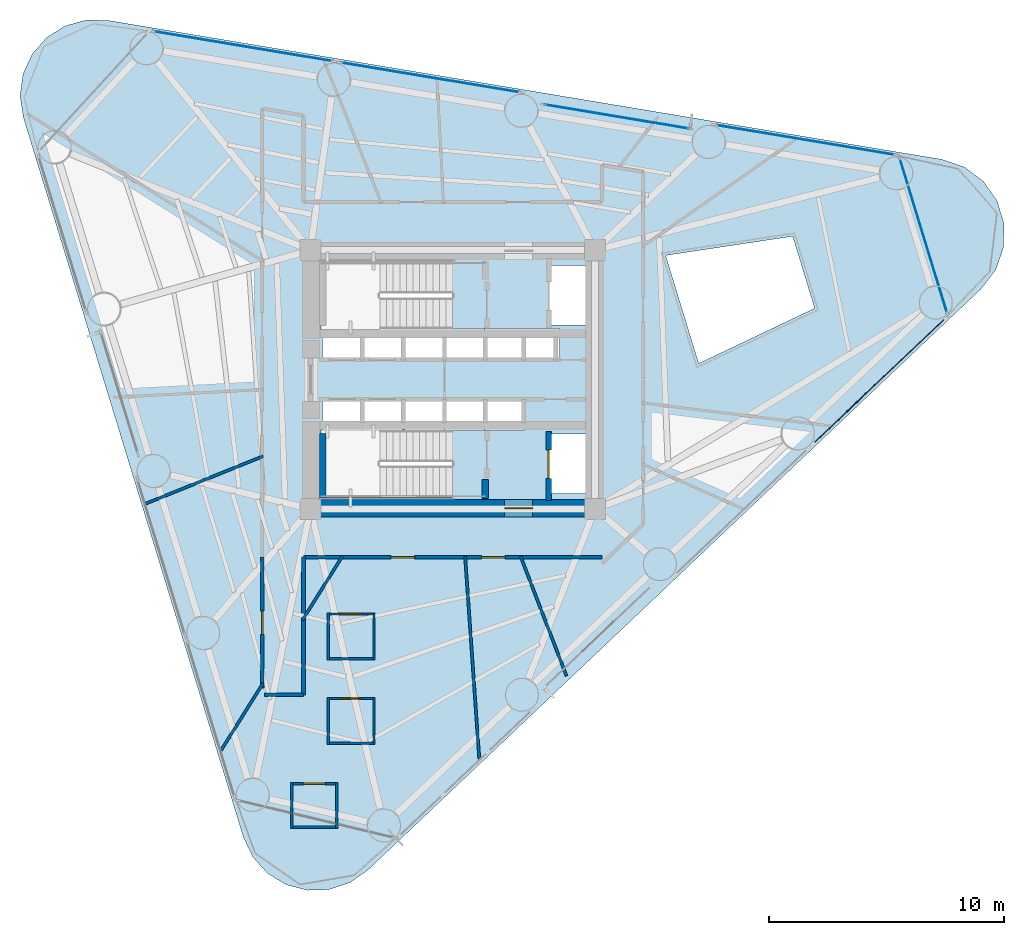
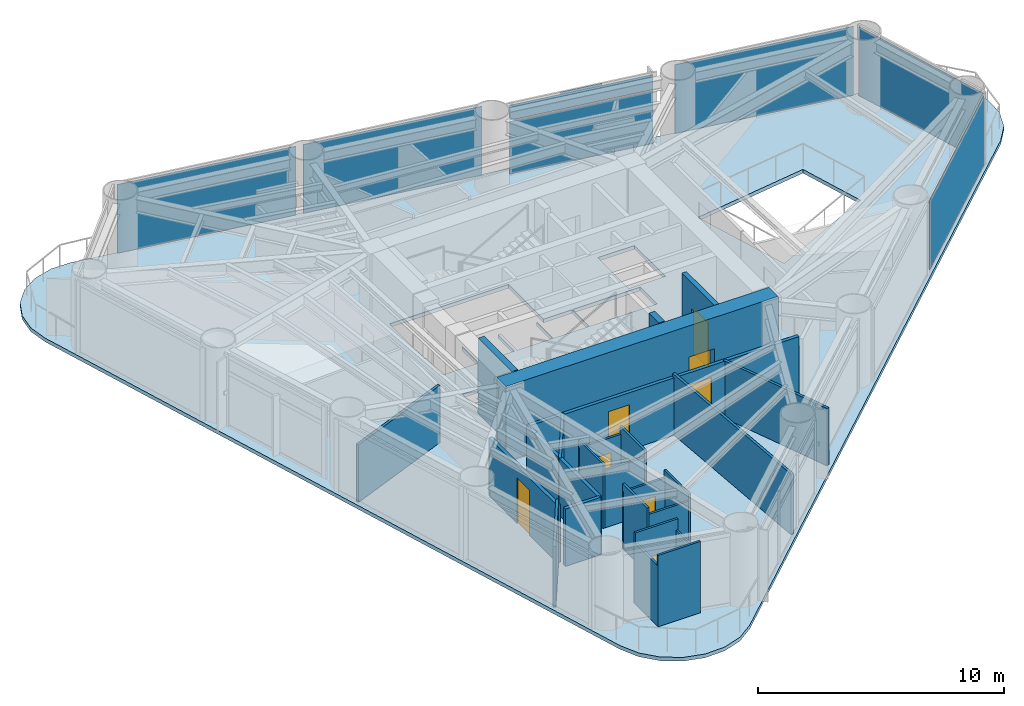
# One storey, part 5 of 10: 25 walls, 8 doors, 8 plates, 1 slab, 8 openings, 6 elements without a shape of their own.
"""IFC4 building model written with IfcOpenShell, lengths in metres."""

from ifc_helpers import new_model, si_unit, direction, frame, frame_2d, origin, origin_2d, place, context, subcontext, project, spatial, polyline, rectangle, outline, extrude, source, transform, mapped, material, layer, layer_set, type_object, element, fill, aggregate, save


model = new_model("IFC4")

# Units and contexts
model_context = context("Model", 3, precision=1e-05, world=origin(), true_north=direction((0.0, 1.0)))
body_context = subcontext(model_context, "Body", "Model", "MODEL_VIEW")
ifc_project = project(units=[si_unit("LENGTHUNIT", "METRE"), si_unit("AREAUNIT", "SQUARE_METRE"), si_unit("VOLUMEUNIT", "CUBIC_METRE"), si_unit("PLANEANGLEUNIT", "RADIAN"), si_unit("MASSUNIT", "GRAM", prefix="KILO")], contexts=[model_context])

# Site, building, storey
site_placement = place(None, origin())
site = spatial("IfcSite", under=ifc_project, at=site_placement, CompositionType="ELEMENT")
building_placement = place(site_placement, origin())
building = spatial("IfcBuilding", under=site, at=building_placement, Name="Yunling Apex Tower", CompositionType="ELEMENT")
storey_placement = place(building_placement, frame((0.0, 0.0, 101.14990234375)))
storey = spatial("IfcBuildingStorey", under=building, at=storey_placement, Name="L25", CompositionType="ELEMENT", Elevation=101.14990234375)

# Slab
ifc_material_1 = material(Name="Concrete C40", Category="concrete")
ifc_layer_1 = layer(ifc_material_1, 0.179931640625)
ifc_layer_set_1 = layer_set([ifc_layer_1], Name="Concrete C40")
slab_type = type_object("IfcSlabType", Name="SL-FLR-1", PredefinedType="FLOOR", material=ifc_layer_set_1)
slab_placement = place(storey_placement, frame((0.0, 0.0, -0.184814453125)))
element("IfcSlab", 1, at=slab_placement, inside=storey, type_object=slab_type, Name="L25 Composite Tower Floor Slab", PredefinedType="FLOOR", context=body_context, shape_type="SweptSolid", body=[
    extrude(outline(polyline([(-8.89990234375, -19.45263671875), (-8.50146484375, -20.294921875), (-7.87841796875, -20.98779296875), (-7.083251953125, -21.473388671875), (-6.182373046875, -21.710693359375), (-5.251220703125, -21.680419921875), (-4.367431640625, -21.384765625), (-3.605712890625, -20.848388671875), (22.4599609375, 3.852294921875), (23.077880859375, 4.65869140625), (23.413818359375, 5.61767578125), (23.434326171875, 6.63330078125), (23.13720703125, 7.60498046875), (22.55224609375, 8.435791015625), (21.737548828125, 9.042724609375), (20.774169921875, 9.36572265625), (-14.6474609375, 15.267822265625), (-15.5791015625, 15.28662109375), (-16.476806640625, 15.03759765625), (-17.265869140625, 14.5419921875), (-17.8798828125, 13.84130859375), (-18.267578125, 12.993896484375), (-18.396728515625, 12.0712890625), (-18.256103515625, 11.150390625), (-8.89990234375, -19.45263671875)]), holes=[polyline([(14.45068359375, 6.091064453125), (15.385986328125, 3.031005859375), (10.4560546875, 0.68701171875), (9.052490234375, 5.27734375), (14.45068359375, 6.091064453125)]), polyline([(5.81005859375, -2.320068359375), (5.81005859375, -4.840087890625), (4.090087890625, -4.840087890625), (4.090087890625, -2.320068359375), (5.81005859375, -2.320068359375)]), polyline([(5.81005859375, 4.840087890625), (5.81005859375, 2.320068359375), (4.090087890625, 2.320068359375), (4.090087890625, 4.840087890625), (5.81005859375, 4.840087890625)]), polyline([(4.534912109375, 0.794921875), (1.364990234375, 0.794921875), (1.364990234375, 2.1650390625), (4.534912109375, 2.1650390625), (4.534912109375, 0.794921875)]), polyline([(3.034912109375, -0.794921875), (3.034912109375, -2.1650390625), (1.364990234375, -2.1650390625), (1.364990234375, -0.794921875), (3.034912109375, -0.794921875)]), polyline([(-3.864990234375, -0.794921875), (-3.864990234375, -2.139892578125), (-3.8349609375, -2.139892578125), (-3.8349609375, -0.794921875), (-2.1650390625, -0.794921875), (-2.1650390625, -2.139892578125), (-2.034912109375, -2.139892578125), (-2.034912109375, -0.794921875), (-0.364990234375, -0.794921875), (-0.364990234375, -2.139892578125), (-0.3349609375, -2.139892578125), (-0.3349609375, -0.794921875), (1.3349609375, -0.794921875), (1.3349609375, -2.1650390625), (-0.010009765625, -2.1650390625), (-0.010009765625, -5.010009765625), (-5.60009765625, -5.010009765625), (-5.60009765625, -2.139892578125), (-5.534912109375, -2.139892578125), (-5.534912109375, -0.794921875), (-3.864990234375, -0.794921875)]), polyline([(-5.60009765625, 2.139892578125), (-5.60009765625, 5.010009765625), (-0.010009765625, 5.010009765625), (-0.010009765625, 2.1650390625), (1.3349609375, 2.1650390625), (1.3349609375, 0.794921875), (-0.3349609375, 0.794921875), (-0.3349609375, 2.139892578125), (-0.364990234375, 2.139892578125), (-0.364990234375, 0.794921875), (-2.034912109375, 0.794921875), (-2.034912109375, 2.139892578125), (-2.1650390625, 2.139892578125), (-2.1650390625, 0.794921875), (-3.8349609375, 0.794921875), (-3.8349609375, 2.139892578125), (-3.864990234375, 2.139892578125), (-3.864990234375, 0.794921875), (-5.534912109375, 0.794921875), (-5.534912109375, 2.139892578125), (-5.60009765625, 2.139892578125)])]), origin(), (0.0, 0.0, 1.0), 0.184814453125),
])

# Plate
ifc_material_2 = material(Name="Bronze anodised aluminium", Category="aluminium")
ifc_layer_2 = layer(ifc_material_2, 0.011962890625)
ifc_layer_set_2 = layer_set([ifc_layer_2], Name="Bronze anodised aluminium")
plate_type_1 = type_object("IfcPlateType", Name="SP-SHT-1", PredefinedType="SHEET", material=ifc_layer_set_2)
shared_shape_1 = source(origin(), body_context, "Body", "SweptSolid", [
    extrude(rectangle(XDim=1.800048828125, YDim=0.02392578125, at=origin_2d()), origin(), (0.0, 0.0, 1.0), 0.43994140625),
])
plate_1_placement = place(storey_placement, frame((6.96923828125, 11.17919921875, 3.1650390625), z_axis=(0.0, 0.0, 1.0), x_axis=(-0.986400586142, 0.164359008451, 0.0)))
element("IfcPlate", 2, at=plate_1_placement, inside=storey, type_object=plate_type_1, Name="SP-GRV-L25-F2", PredefinedType="SHEET", context=body_context, shape_type="MappedRepresentation", body=[
    mapped(shared_shape_1, transform((0.0, 0.0, 0.0), scale=1.0)),
])

# Curtain wall, plates
ifc_layer_3 = layer(ifc_material_2, 0.260009765625)
ifc_layer_set_3 = layer_set([ifc_layer_3], Name="Bronze anodised aluminium")
curtain_wall_type = type_object("IfcCurtainWallType", Name="CW-SYS-2", PredefinedType="NOTDEFINED", material=ifc_layer_set_3)
curtain_wall_1_placement = place(storey_placement, origin())
curtain_wall_1 = element("IfcCurtainWall", 3, at=curtain_wall_1_placement, inside=storey, type_object=curtain_wall_type, Name="CW-L25-F2-B2", PredefinedType="NOTDEFINED")
ifc_material_3 = material(Name="Bronze tinted low-E glass", Category="glass")
ifc_layer_4 = layer(ifc_material_3, 0.033935546875)
ifc_layer_set_4 = layer_set([ifc_layer_4], Name="Bronze tinted low-E glass")
plate_type_2 = type_object("IfcPlateType", Name="CW-PNL-2", PredefinedType="CURTAIN_PANEL", material=ifc_layer_set_4)
shared_shape_2 = source(origin(), body_context, "Body", "SweptSolid", [
    extrude(rectangle(XDim=6.236328125, YDim=0.033935546875, at=origin_2d()), origin(), (0.0, 0.0, 1.0), 2.60400390625),
])
plate_2_placement = place(storey_placement, frame((6.96923828125, 11.17919921875, 0.076904296875), z_axis=(0.0, 0.0, 1.0), x_axis=(-0.986401113409, 0.164355844023, 0.0)))
plate_2 = element("IfcPlate", 4, at=plate_2_placement, type_object=plate_type_2, Name="CW-SYS-2 panel 1.1", PredefinedType="CURTAIN_PANEL", context=body_context, shape_type="MappedRepresentation", body=[
    mapped(shared_shape_2, transform((0.0, 0.0, 0.0), scale=1.0)),
])
shared_shape_3 = source(origin(), body_context, "Body", "SweptSolid", [
    extrude(rectangle(XDim=6.236328125, YDim=0.033935546875, at=origin_2d()), origin(), (0.0, 0.0, 1.0), 0.739013671875),
])
plate_3_placement = place(storey_placement, frame((6.96923828125, 11.17919921875, 2.74951171875), z_axis=(0.0, 0.0, 1.0), x_axis=(-0.986401113409, 0.164355844023, 0.0)))
plate_3 = element("IfcPlate", 5, at=plate_3_placement, type_object=plate_type_2, Name="CW-SYS-2 panel 1.2", PredefinedType="CURTAIN_PANEL", context=body_context, shape_type="MappedRepresentation", body=[
    mapped(shared_shape_3, transform((0.0, 0.0, 0.0), scale=1.0)),
])
aggregate(curtain_wall_1, [plate_2, plate_3])

# Curtain wall, plate
curtain_wall_2_placement = place(storey_placement, origin())
curtain_wall_2 = element("IfcCurtainWall", 6, at=curtain_wall_2_placement, inside=storey, type_object=curtain_wall_type, Name="CW-L25-F1-B4", PredefinedType="NOTDEFINED")
shared_shape_4 = source(origin(), body_context, "Body", "SweptSolid", [
    extrude(rectangle(XDim=7.766357421875, YDim=0.033935546875, at=origin_2d()), origin(), (0.0, 0.0, 1.0), 3.41162109375),
])
plate_4_placement = place(storey_placement, frame((18.1279296875, -0.06005859375, 0.076904296875), z_axis=(0.0, 0.0, 1.0), x_axis=(0.72584218686, 0.687861264918, 0.0)))
plate_4 = element("IfcPlate", 7, at=plate_4_placement, type_object=plate_type_2, Name="CW-SYS-2 panel 1.1", PredefinedType="CURTAIN_PANEL", context=body_context, shape_type="MappedRepresentation", body=[
    mapped(shared_shape_4, transform((0.0, 0.0, 0.0), scale=1.0)),
])
aggregate(curtain_wall_2, [plate_4])

curtain_wall_3_placement = place(storey_placement, origin())
curtain_wall_3 = element("IfcCurtainWall", 8, at=curtain_wall_3_placement, inside=storey, type_object=curtain_wall_type, Name="CW-L25-F2-B1", PredefinedType="NOTDEFINED")
plate_5_placement = place(storey_placement, frame((14.9951171875, 10.186767578125, 0.076904296875), z_axis=(0.0, 0.0, 1.0), x_axis=(-0.98640040698, 0.16436008369, 0.0)))
plate_5 = element("IfcPlate", 9, at=plate_5_placement, type_object=plate_type_2, Name="CW-SYS-2 panel 1.1", PredefinedType="CURTAIN_PANEL", context=body_context, shape_type="MappedRepresentation", body=[
    mapped(shared_shape_4, transform((0.0, 0.0, 0.0), scale=1.0)),
])
aggregate(curtain_wall_3, [plate_5])

curtain_wall_4_placement = place(storey_placement, origin())
curtain_wall_4 = element("IfcCurtainWall", 10, at=curtain_wall_4_placement, inside=storey, type_object=curtain_wall_type, Name="CW-L25-F2-B4", PredefinedType="NOTDEFINED")
plate_6_placement = place(storey_placement, frame((-8.91455078125, 14.170654296875, 0.076904296875), z_axis=(0.0, 0.0, 1.0), x_axis=(-0.98640040698, 0.16436008369, 0.0)))
plate_6 = element("IfcPlate", 11, at=plate_6_placement, type_object=plate_type_2, Name="CW-SYS-2 panel 1.1", PredefinedType="CURTAIN_PANEL", context=body_context, shape_type="MappedRepresentation", body=[
    mapped(shared_shape_4, transform((0.0, 0.0, 0.0), scale=1.0)),
])
aggregate(curtain_wall_4, [plate_6])

curtain_wall_5_placement = place(storey_placement, origin())
curtain_wall_5 = element("IfcCurtainWall", 12, at=curtain_wall_5_placement, inside=storey, type_object=curtain_wall_type, Name="CW-L25-CRN1", PredefinedType="NOTDEFINED")
shared_shape_5 = source(origin(), body_context, "Body", "SweptSolid", [
    extrude(rectangle(XDim=6.925537109375, YDim=0.033935546875, at=origin_2d()), origin(), (0.0, 0.0, 1.0), 3.41162109375),
])
plate_7_placement = place(storey_placement, frame((20.01171875, 6.1181640625, 0.076904296875), z_axis=(0.0, 0.0, 1.0), x_axis=(-0.292375009223, 0.95630374567, 0.0)))
plate_7 = element("IfcPlate", 13, at=plate_7_placement, type_object=plate_type_2, Name="CW-SYS-2 panel 1.1", PredefinedType="CURTAIN_PANEL", context=body_context, shape_type="MappedRepresentation", body=[
    mapped(shared_shape_5, transform((0.0, 0.0, 0.0), scale=1.0)),
])
aggregate(curtain_wall_5, [plate_7])

curtain_wall_6_placement = place(storey_placement, origin())
curtain_wall_6 = element("IfcCurtainWall", 14, at=curtain_wall_6_placement, inside=storey, type_object=curtain_wall_type, Name="CW-L25-F2-B3", PredefinedType="NOTDEFINED")
shared_shape_6 = source(origin(), body_context, "Body", "SweptSolid", [
    extrude(rectangle(XDim=7.76611328125, YDim=0.033935546875, at=origin_2d()), origin(), (0.0, 0.0, 1.0), 3.41162109375),
])
plate_8_placement = place(storey_placement, frame((-0.944580078125, 12.8427734375, 0.076904296875), z_axis=(0.0, 0.0, 1.0), x_axis=(-0.986400065878, 0.164362130784, 0.0)))
plate_8 = element("IfcPlate", 15, at=plate_8_placement, type_object=plate_type_2, Name="CW-SYS-2 panel 1.1", PredefinedType="CURTAIN_PANEL", context=body_context, shape_type="MappedRepresentation", body=[
    mapped(shared_shape_6, transform((0.0, 0.0, 0.0), scale=1.0)),
])
aggregate(curtain_wall_6, [plate_8])

# Wall, opening, door
ifc_material_4 = material(Name="Concrete C60", Category="concrete")
ifc_layer_5 = layer(ifc_material_4, 0.75)
ifc_layer_set_5 = layer_set([ifc_layer_5], Name="Concrete C60")
wall_type_1 = type_object("IfcWallType", Name="WL-COR-1", PredefinedType="SHEAR", material=ifc_layer_set_5)
wall_1_placement = place(storey_placement, frame((-6.39990234375, -5.47509765625, 0.0), z_axis=(0.0, 0.0, 1.0), x_axis=(1.0, 0.0, 0.0)))
wall_1 = element("IfcWall", 16, at=wall_1_placement, inside=storey, type_object=wall_type_1, Name="L25 South Core Shear Wall", PredefinedType="SHEAR", context=body_context, shape_type="SweptSolid", body=[
    extrude(rectangle(XDim=12.7998046875, YDim=0.75, at=frame_2d((6.39990234375, 0.0))), origin(), (0.0, 0.0, 1.0), 3.75),
])
opening_1_placement = place(wall_1_placement, frame((8.60009765625, 0.0, 0.0)))
opening_1 = element("IfcOpeningElement", 17, at=opening_1_placement, cuts=wall_1, Name="Opening DR-FFL-1", PredefinedType="OPENING", context=body_context, shape_type="SweptSolid", body=[
    extrude(rectangle(XDim=1.199951171875, YDim=2.199951171875, at=frame_2d((0.60009765625, 1.10009765625))), frame((0.0, 0.385009765625, 0.0), z_axis=(0.0, -1.0, 0.0), x_axis=(1.0, 0.0, 0.0)), (0.0, 0.0, 1.0), 0.77001953125),
])
ifc_material_5 = material(Name="Steel Q355B", Category="steel")
door_type_1 = type_object("IfcDoorType", Name="DR-FFL-1", OperationType="NOTDEFINED", PredefinedType="DOOR", material=ifc_material_5)
door_1_placement = place(opening_1_placement, origin())
door_1 = element("IfcDoor", 18, at=door_1_placement, inside=storey, type_object=door_type_1, Name="L25 South Firefighting Lobby Door", OperationType="SINGLE_SWING_RIGHT", OverallHeight=2.199951171875, OverallWidth=1.199951171875, PredefinedType="DOOR", context=body_context, shape_type="SweptSolid", body=[
    extrude(rectangle(XDim=1.199951171875, YDim=2.199951171875, at=frame_2d((0.60009765625, 1.10009765625))), frame((0.0, 0.02490234375, 0.0), z_axis=(0.0, -1.0, 0.0), x_axis=(1.0, 0.0, 0.0)), (0.0, 0.0, 1.0), 0.050048828125),
])
fill(opening_1, door_1)

# Walls
ifc_layer_6 = layer(ifc_material_1, 0.280029296875)
ifc_layer_set_6 = layer_set([ifc_layer_6], Name="Concrete C40")
wall_type_2 = type_object("IfcWallType", Name="WL-COR-8", PredefinedType="SHEAR", material=ifc_layer_set_6)
wall_2_placement = place(storey_placement, frame((-5.52001953125, -5.050048828125, 0.0), z_axis=(0.0, 0.0, 1.0), x_axis=(0.0, 1.0, 0.0)))
element("IfcWall", 19, at=wall_2_placement, inside=storey, type_object=wall_type_2, Name="L25 ST-2 West Landing Bearing Wall", PredefinedType="SHEAR", context=body_context, shape_type="SweptSolid", body=[
    extrude(rectangle(XDim=2.75, YDim=0.280029296875, at=frame_2d((1.375, 0.0))), origin(), (0.0, 0.0, 1.0), 3.75),
])
wall_3_placement = place(storey_placement, frame((1.3798828125, -5.050048828125, 0.0), z_axis=(0.0, 0.0, 1.0), x_axis=(0.0, 1.0, 0.0)))
element("IfcWall", 20, at=wall_3_placement, inside=storey, type_object=wall_type_2, Name="L25 ST-2 East Landing Bearing Pier", PredefinedType="SHEAR", context=body_context, shape_type="SweptSolid", body=[
    extrude(rectangle(XDim=0.800048828125, YDim=0.280029296875, at=frame_2d((0.39990234375, 0.0))), origin(), (0.0, 0.0, 1.0), 3.75),
])

# Wall, opening, door
ifc_material_6 = material(Name="Gypsum board acoustic partition")
ifc_layer_7 = layer(ifc_material_6, 0.159912109375)
ifc_layer_set_7 = layer_set([ifc_layer_7], Name="Gypsum board acoustic partition")
wall_type_3 = type_object("IfcWallType", Name="WL-PRT-1", PredefinedType="PARTITIONING", material=ifc_layer_set_7)
wall_4_placement = place(storey_placement, frame((-8.10009765625, -13.107421875, 0.0), z_axis=(0.0, 0.0, 1.0), x_axis=(0.0, 1.0, 0.0)))
wall_4 = element("IfcWall", 21, at=wall_4_placement, inside=storey, type_object=wall_type_3, Name="WL-CORR-L25-02", PredefinedType="PARTITIONING", context=body_context, shape_type="SweptSolid", body=[
    extrude(rectangle(XDim=5.557373046875, YDim=0.159912109375, at=frame_2d((2.77880859375, 0.0))), origin(), (0.0, 0.0, 1.0), 2.85009765625),
])
opening_2_placement = place(wall_4_placement, frame((2.27880859375, 0.0, 0.0)))
opening_2 = element("IfcOpeningElement", 22, at=opening_2_placement, cuts=wall_4, Name="Opening DR-OFF-1", PredefinedType="OPENING", context=body_context, shape_type="SweptSolid", body=[
    extrude(rectangle(XDim=1.0, YDim=2.25, at=frame_2d((0.5, 1.125))), frame((0.0, 0.08984375, 0.0), z_axis=(0.0, -1.0, 0.0), x_axis=(1.0, 0.0, 0.0)), (0.0, 0.0, 1.0), 0.179931640625),
])
door_type_2 = type_object("IfcDoorType", Name="DR-OFF-1", OperationType="NOTDEFINED", PredefinedType="DOOR", material=ifc_material_2)
door_2_placement = place(opening_2_placement, origin())
door_2 = element("IfcDoor", 23, at=door_2_placement, inside=storey, type_object=door_type_2, Name="L25 Business Reading Lounge Door", OperationType="SINGLE_SWING_LEFT", OverallHeight=2.25, OverallWidth=1.0, PredefinedType="DOOR", context=body_context, shape_type="SweptSolid", body=[
    extrude(rectangle(XDim=1.0, YDim=2.25, at=frame_2d((0.5, 1.125))), frame((0.0, 0.02490234375, 0.0), z_axis=(0.0, -1.0, 0.0), x_axis=(1.0, 0.0, 0.0)), (0.0, 0.0, 1.0), 0.050048828125),
])
fill(opening_2, door_2)

# Wall, openings, doors
wall_5_placement = place(storey_placement, frame((6.35009765625, -7.550048828125, 0.0), z_axis=(0.0, 0.0, 1.0), x_axis=(-1.0, 0.0, 0.0)))
wall_5 = element("IfcWall", 24, at=wall_5_placement, inside=storey, type_object=wall_type_3, Name="WL-CORR-L25-15", PredefinedType="PARTITIONING", context=body_context, shape_type="SweptSolid", body=[
    extrude(rectangle(XDim=12.7001953125, YDim=0.159912109375, at=frame_2d((6.35009765625, 0.0))), origin(), (0.0, 0.0, 1.0), 2.85009765625),
])
opening_3_placement = place(wall_5_placement, frame((4.12109375, 0.0, 0.0)))
opening_3 = element("IfcOpeningElement", 25, at=opening_3_placement, cuts=wall_5, Name="Opening DR-OFF-1", PredefinedType="OPENING", context=body_context, shape_type="SweptSolid", body=[
    extrude(rectangle(XDim=1.0, YDim=2.25, at=frame_2d((0.5, 1.125))), frame((0.0, 0.08984375, 0.0), z_axis=(0.0, -1.0, 0.0), x_axis=(1.0, 0.0, 0.0)), (0.0, 0.0, 1.0), 0.179931640625),
])
opening_4_placement = place(wall_5_placement, frame((7.966064453125, 0.0, 0.0)))
opening_4 = element("IfcOpeningElement", 26, at=opening_4_placement, cuts=wall_5, Name="Opening DR-OFF-1", PredefinedType="OPENING", context=body_context, shape_type="SweptSolid", body=[
    extrude(rectangle(XDim=1.0, YDim=2.25, at=frame_2d((0.5, 1.125))), frame((0.0, 0.08984375, 0.0), z_axis=(0.0, -1.0, 0.0), x_axis=(1.0, 0.0, 0.0)), (0.0, 0.0, 1.0), 0.179931640625),
])
door_3_placement = place(opening_3_placement, origin())
door_3 = element("IfcDoor", 27, at=door_3_placement, inside=storey, type_object=door_type_2, Name="L25 Business Reading Lounge Door", OperationType="SINGLE_SWING_RIGHT", OverallHeight=2.25, OverallWidth=1.0, PredefinedType="DOOR", context=body_context, shape_type="SweptSolid", body=[
    extrude(rectangle(XDim=1.0, YDim=2.25, at=frame_2d((0.5, 1.125))), frame((0.0, 0.02490234375, 0.0), z_axis=(0.0, -1.0, 0.0), x_axis=(1.0, 0.0, 0.0)), (0.0, 0.0, 1.0), 0.050048828125),
])
fill(opening_3, door_3)
door_4_placement = place(opening_4_placement, origin())
door_4 = element("IfcDoor", 28, at=door_4_placement, inside=storey, type_object=door_type_2, Name="L25 Service Foyer Lounge Door", OperationType="SINGLE_SWING_LEFT", OverallHeight=2.25, OverallWidth=1.0, PredefinedType="DOOR", context=body_context, shape_type="SweptSolid", body=[
    extrude(rectangle(XDim=1.0, YDim=2.25, at=frame_2d((0.5, 1.125))), frame((0.0, 0.02490234375, 0.0), z_axis=(0.0, -1.0, 0.0), x_axis=(1.0, 0.0, 0.0)), (0.0, 0.0, 1.0), 0.050048828125),
])
fill(opening_4, door_4)

# Walls
wall_6_placement = place(storey_placement, frame((-6.35009765625, -7.550048828125, 0.0), z_axis=(0.0, 0.0, 1.0), x_axis=(0.0, -1.0, 0.0)))
element("IfcWall", 29, at=wall_6_placement, inside=storey, type_object=wall_type_3, Name="WL-CORR-L25-16", PredefinedType="PARTITIONING", context=body_context, shape_type="SweptSolid", body=[
    extrude(rectangle(XDim=5.849853515625, YDim=0.159912109375, at=frame_2d((2.9248046875, 0.0))), origin(), (0.0, 0.0, 1.0), 2.85009765625),
])
wall_7_placement = place(storey_placement, frame((-6.35009765625, -13.39990234375, 0.0), z_axis=(0.0, 0.0, 1.0), x_axis=(-1.0, 0.0, 0.0)))
element("IfcWall", 30, at=wall_7_placement, inside=storey, type_object=wall_type_3, Name="WL-CORR-L25-17", PredefinedType="PARTITIONING", context=body_context, shape_type="SweptSolid", body=[
    extrude(rectangle(XDim=1.660400390625, YDim=0.159912109375, at=frame_2d((0.830078125, 0.0))), origin(), (0.0, 0.0, 1.0), 2.85009765625),
])
ifc_layer_8 = layer(ifc_material_6, 0.1201171875)
ifc_layer_set_8 = layer_set([ifc_layer_8], Name="Gypsum board acoustic partition")
wall_type_4 = type_object("IfcWallType", Name="WL-PRT-3", PredefinedType="PARTITIONING", material=ifc_layer_set_8)
wall_8_placement = place(storey_placement, frame((-8.06005859375, -3.256591796875, 0.0), z_axis=(0.0, 0.0, 1.0), x_axis=(-0.927184543748, -0.374604887627, 0.0)))
element("IfcWall", 31, at=wall_8_placement, inside=storey, type_object=wall_type_4, Name="WL-RAD-L25-02", PredefinedType="PARTITIONING", context=body_context, shape_type="SweptSolid", body=[
    extrude(rectangle(XDim=5.378662109375, YDim=0.1201171875, at=frame_2d((2.689453125, 0.0))), origin(), (0.0, 0.0, 1.0), 2.85009765625),
])
wall_9_placement = place(storey_placement, frame((-4.69287109375, -7.510009765625, 0.0), z_axis=(0.0, 0.0, 1.0), x_axis=(-0.529882447014, -0.848071100997, 0.0)))
element("IfcWall", 32, at=wall_9_placement, inside=storey, type_object=wall_type_4, Name="WL-RAD-L25-03", PredefinedType="PARTITIONING", context=body_context, shape_type="SweptSolid", body=[
    extrude(rectangle(XDim=3.20263671875, YDim=0.1201171875, at=frame_2d((1.601318359375, 0.0))), origin(), (0.0, 0.0, 1.0), 2.85009765625),
])
wall_10_placement = place(storey_placement, frame((-8.06005859375, -12.898681640625, 0.0), z_axis=(0.0, 0.0, 1.0), x_axis=(-0.529927190475, -0.84804314324, 0.0)))
element("IfcWall", 33, at=wall_10_placement, inside=storey, type_object=wall_type_4, Name="WL-RAD-L25-04", PredefinedType="PARTITIONING", context=body_context, shape_type="SweptSolid", body=[
    extrude(rectangle(XDim=3.364501953125, YDim=0.1201171875, at=frame_2d((1.68212890625, 0.0))), origin(), (0.0, 0.0, 1.0), 3.010009765625),
])
wall_11_placement = place(storey_placement, frame((0.525146484375, -7.510009765625, 0.0), z_axis=(0.0, 0.0, 1.0), x_axis=(0.069760692691, -0.997563755233, 0.0)))
element("IfcWall", 34, at=wall_11_placement, inside=storey, type_object=wall_type_4, Name="WL-RAD-L25-05", PredefinedType="PARTITIONING", context=body_context, shape_type="SweptSolid", body=[
    extrude(rectangle(XDim=8.626708984375, YDim=0.1201171875, at=frame_2d((4.3134765625, 0.0))), origin(), (0.0, 0.0, 1.0), 3.010009765625),
])
wall_12_placement = place(storey_placement, frame((2.8828125, -7.510009765625, 0.0), z_axis=(0.0, 0.0, 1.0), x_axis=(0.35836087515, -0.933583142072, 0.0)))
element("IfcWall", 35, at=wall_12_placement, inside=storey, type_object=wall_type_4, Name="WL-RAD-L25-06", PredefinedType="PARTITIONING", context=body_context, shape_type="SweptSolid", body=[
    extrude(rectangle(XDim=5.4521484375, YDim=0.1201171875, at=frame_2d((2.72607421875, 0.0))), origin(), (0.0, 0.0, 1.0), 2.85009765625),
])

# Wall, opening, door
ifc_layer_9 = layer(ifc_material_6, 0.10009765625)
ifc_layer_set_9 = layer_set([ifc_layer_9], Name="Gypsum board acoustic partition")
wall_type_5 = type_object("IfcWallType", Name="WL-PRT-4", PredefinedType="PARTITIONING", material=ifc_layer_set_9)
wall_13_placement = place(storey_placement, frame((-5.34912109375, -13.55908203125, 0.0), z_axis=(0.0, 0.0, 1.0), x_axis=(1.0, 0.0, 0.0)))
wall_13 = element("IfcWall", 36, at=wall_13_placement, inside=storey, type_object=wall_type_5, Name="WL-L25-WCMN", PredefinedType="PARTITIONING", context=body_context, shape_type="SweptSolid", body=[
    extrude(rectangle(XDim=2.050048828125, YDim=0.10009765625, at=frame_2d((1.02490234375, 0.0))), origin(), (0.0, 0.0, 1.0), 2.85009765625),
])
opening_5_placement = place(wall_13_placement, frame((0.56494140625, 0.0, 0.0)))
opening_5 = element("IfcOpeningElement", 37, at=opening_5_placement, cuts=wall_13, Name="Opening DR-WC-1", PredefinedType="OPENING", context=body_context, shape_type="SweptSolid", body=[
    extrude(rectangle(XDim=0.919921875, YDim=2.10009765625, at=frame_2d((0.4599609375, 1.050048828125))), frame((0.0, 0.06005859375, 0.0), z_axis=(0.0, -1.0, 0.0), x_axis=(1.0, 0.0, 0.0)), (0.0, 0.0, 1.0), 0.1201171875),
])
ifc_material_7 = material(Name="Timber moisture-resistant leaf", Category="wood")
door_type_3 = type_object("IfcDoorType", Name="DR-WC-1", OperationType="NOTDEFINED", PredefinedType="DOOR", material=ifc_material_7)
door_5_placement = place(opening_5_placement, origin())
door_5 = element("IfcDoor", 38, at=door_5_placement, inside=storey, type_object=door_type_3, Name="L25 Male Toilet Door", OperationType="SINGLE_SWING_RIGHT", OverallHeight=2.10009765625, OverallWidth=0.919921875, PredefinedType="DOOR", context=body_context, shape_type="SweptSolid", body=[
    extrude(rectangle(XDim=0.919921875, YDim=2.10009765625, at=frame_2d((0.4599609375, 1.050048828125))), frame((0.0, 0.02490234375, 0.0), z_axis=(0.0, -1.0, 0.0), x_axis=(1.0, 0.0, 0.0)), (0.0, 0.0, 1.0), 0.050048828125),
])
fill(opening_5, door_5)

# Walls
wall_14_placement = place(storey_placement, frame((-3.299072265625, -15.458984375, 0.0), z_axis=(0.0, 0.0, 1.0), x_axis=(-1.0, 0.0, 0.0)))
element("IfcWall", 39, at=wall_14_placement, inside=storey, type_object=wall_type_5, Name="WL-L25-WCMS", PredefinedType="PARTITIONING", context=body_context, shape_type="SweptSolid", body=[
    extrude(rectangle(XDim=2.050048828125, YDim=0.10009765625, at=frame_2d((1.02490234375, 0.0))), origin(), (0.0, 0.0, 1.0), 2.85009765625),
])
for number, where, z_axis, x_axis, name in (
    (40, (-3.34912109375, -13.509033203125, 0.0), (0.0, 0.0, 1.0), (0.0, -1.0, 0.0), "WL-L25-WCME"),
    (41, (-5.299072265625, -15.509033203125, 0.0), (0.0, 0.0, 1.0), (0.0, 1.0, 0.0), "WL-L25-WCMW"),
):
    element("IfcWall", number, at=place(storey_placement, frame(where, z_axis=z_axis, x_axis=x_axis)), inside=storey, type_object=wall_type_5, Name=name, PredefinedType="PARTITIONING", context=body_context, shape_type="SweptSolid", body=[
        extrude(rectangle(XDim=2.0, YDim=0.10009765625, at=frame_2d((1.0, 0.0))), origin(), (0.0, 0.0, 1.0), 3.2001953125),
    ])

# Wall, opening, door
wall_15_placement = place(storey_placement, frame((-5.34912109375, -9.964111328125, 0.0), z_axis=(0.0, 0.0, 1.0), x_axis=(1.0, 0.0, 0.0)))
wall_15 = element("IfcWall", 42, at=wall_15_placement, inside=storey, type_object=wall_type_5, Name="WL-L25-WCFN", PredefinedType="PARTITIONING", context=body_context, shape_type="SweptSolid", body=[
    extrude(rectangle(XDim=2.050048828125, YDim=0.10009765625, at=frame_2d((1.02490234375, 0.0))), origin(), (0.0, 0.0, 1.0), 2.85009765625),
])
opening_6_placement = place(wall_15_placement, frame((0.56494140625, 0.0, 0.0)))
opening_6 = element("IfcOpeningElement", 43, at=opening_6_placement, cuts=wall_15, Name="Opening DR-WC-1", PredefinedType="OPENING", context=body_context, shape_type="SweptSolid", body=[
    extrude(rectangle(XDim=0.919921875, YDim=2.10009765625, at=frame_2d((0.4599609375, 1.050048828125))), frame((0.0, 0.06005859375, 0.0), z_axis=(0.0, -1.0, 0.0), x_axis=(1.0, 0.0, 0.0)), (0.0, 0.0, 1.0), 0.1201171875),
])
door_6_placement = place(opening_6_placement, origin())
door_6 = element("IfcDoor", 44, at=door_6_placement, inside=storey, type_object=door_type_3, Name="L25 Female Toilet Door", OperationType="SINGLE_SWING_LEFT", OverallHeight=2.10009765625, OverallWidth=0.919921875, PredefinedType="DOOR", context=body_context, shape_type="SweptSolid", body=[
    extrude(rectangle(XDim=0.919921875, YDim=2.10009765625, at=frame_2d((0.4599609375, 1.050048828125))), frame((0.0, 0.02490234375, 0.0), z_axis=(0.0, -1.0, 0.0), x_axis=(1.0, 0.0, 0.0)), (0.0, 0.0, 1.0), 0.050048828125),
])
fill(opening_6, door_6)

# Walls
wall_16_placement = place(storey_placement, frame((-3.299072265625, -11.864013671875, 0.0), z_axis=(0.0, 0.0, 1.0), x_axis=(-1.0, 0.0, 0.0)))
element("IfcWall", 45, at=wall_16_placement, inside=storey, type_object=wall_type_5, Name="WL-L25-WCFS", PredefinedType="PARTITIONING", context=body_context, shape_type="SweptSolid", body=[
    extrude(rectangle(XDim=2.050048828125, YDim=0.10009765625, at=frame_2d((1.02490234375, 0.0))), origin(), (0.0, 0.0, 1.0), 2.85009765625),
])
for number, where, z_axis, x_axis, name in (
    (46, (-3.34912109375, -9.9140625, 0.0), (0.0, 0.0, 1.0), (0.0, -1.0, 0.0), "WL-L25-WCFE"),
    (47, (-5.299072265625, -11.9140625, 0.0), (0.0, 0.0, 1.0), (0.0, 1.0, 0.0), "WL-L25-WCFW"),
):
    element("IfcWall", number, at=place(storey_placement, frame(where, z_axis=z_axis, x_axis=x_axis)), inside=storey, type_object=wall_type_5, Name=name, PredefinedType="PARTITIONING", context=body_context, shape_type="SweptSolid", body=[
        extrude(rectangle(XDim=2.0, YDim=0.10009765625, at=frame_2d((1.0, 0.0))), origin(), (0.0, 0.0, 1.0), 3.2001953125),
    ])

# Wall, opening, door
wall_17_placement = place(storey_placement, frame((-6.887939453125, -17.177978515625, 0.0), z_axis=(0.0, 0.0, 1.0), x_axis=(1.0, 0.0, 0.0)))
wall_17 = element("IfcWall", 48, at=wall_17_placement, inside=storey, type_object=wall_type_5, Name="WL-L25-WCAN", PredefinedType="PARTITIONING", context=body_context, shape_type="SweptSolid", body=[
    extrude(rectangle(XDim=2.0, YDim=0.10009765625, at=frame_2d((1.0, 0.0))), origin(), (0.0, 0.0, 1.0), 3.545166015625),
])
opening_7_placement = place(wall_17_placement, frame((0.5400390625, 0.0, 0.0)))
opening_7 = element("IfcOpeningElement", 49, at=opening_7_placement, cuts=wall_17, Name="Opening DR-WC-1", PredefinedType="OPENING", context=body_context, shape_type="SweptSolid", body=[
    extrude(rectangle(XDim=0.919921875, YDim=2.10009765625, at=frame_2d((0.4599609375, 1.050048828125))), frame((0.0, 0.06005859375, 0.0), z_axis=(0.0, -1.0, 0.0), x_axis=(1.0, 0.0, 0.0)), (0.0, 0.0, 1.0), 0.1201171875),
])
door_7_placement = place(opening_7_placement, origin())
door_7 = element("IfcDoor", 50, at=door_7_placement, inside=storey, type_object=door_type_3, Name="L25 Accessible WC Door", OperationType="SINGLE_SWING_RIGHT", OverallHeight=2.10009765625, OverallWidth=0.919921875, PredefinedType="DOOR", context=body_context, shape_type="SweptSolid", body=[
    extrude(rectangle(XDim=0.919921875, YDim=2.10009765625, at=frame_2d((0.4599609375, 1.050048828125))), frame((0.0, 0.02490234375, 0.0), z_axis=(0.0, -1.0, 0.0), x_axis=(1.0, 0.0, 0.0)), (0.0, 0.0, 1.0), 0.050048828125),
])
fill(opening_7, door_7)

# Walls
wall_18_placement = place(storey_placement, frame((-4.887939453125, -19.028076171875, 0.0), z_axis=(0.0, 0.0, 1.0), x_axis=(-1.0, 0.0, 0.0)))
element("IfcWall", 51, at=wall_18_placement, inside=storey, type_object=wall_type_5, Name="WL-L25-WCAS", PredefinedType="PARTITIONING", context=body_context, shape_type="SweptSolid", body=[
    extrude(rectangle(XDim=2.0, YDim=0.10009765625, at=frame_2d((1.0, 0.0))), origin(), (0.0, 0.0, 1.0), 3.545166015625),
])
for number, where, z_axis, x_axis, name in (
    (52, (-4.93798828125, -17.1279296875, 0.0), (0.0, 0.0, 1.0), (0.0, -1.0, 0.0), "WL-L25-WCAE"),
    (53, (-6.837890625, -19.077880859375, 0.0), (0.0, 0.0, 1.0), (0.0, 1.0, 0.0), "WL-L25-WCAW"),
):
    element("IfcWall", number, at=place(storey_placement, frame(where, z_axis=z_axis, x_axis=x_axis)), inside=storey, type_object=wall_type_5, Name=name, PredefinedType="PARTITIONING", context=body_context, shape_type="SweptSolid", body=[
        extrude(rectangle(XDim=1.949951171875, YDim=0.10009765625, at=frame_2d((0.97509765625, 0.0))), origin(), (0.0, 0.0, 1.0), 3.010009765625),
    ])

# Wall, opening, door
ifc_material_8 = material(Name="Autoclaved aerated concrete masonry", Category="masonry")
ifc_layer_10 = layer(ifc_material_8, 0.219970703125)
ifc_layer_set_10 = layer_set([ifc_layer_10], Name="Autoclaved aerated concrete masonry")
wall_type_6 = type_object("IfcWallType", Name="WL-SHF-1", PredefinedType="PLUMBINGWALL", material=ifc_layer_set_10)
wall_19_placement = place(storey_placement, frame((4.080078125, -5.14990234375, 0.0), z_axis=(0.0, 0.0, 1.0), x_axis=(0.0, 1.0, 0.0)))
wall_19 = element("IfcWall", 54, at=wall_19_placement, inside=storey, type_object=wall_type_6, Name="WL-FFL2-W-L25", PredefinedType="PLUMBINGWALL", context=body_context, shape_type="SweptSolid", body=[
    extrude(rectangle(XDim=2.949951171875, YDim=0.219970703125, at=frame_2d((1.47509765625, 0.0))), origin(), (0.0, 0.0, 1.0), 3.545166015625),
])
opening_8_placement = place(wall_19_placement, frame((0.949951171875, 0.0, 0.0)))
opening_8 = element("IfcOpeningElement", 55, at=opening_8_placement, cuts=wall_19, Name="Opening LD-FFL-1", PredefinedType="OPENING", context=body_context, shape_type="SweptSolid", body=[
    extrude(rectangle(XDim=1.199951171875, YDim=2.25, at=frame_2d((0.60009765625, 1.125))), frame((0.0, 0.1201171875, 0.0), z_axis=(0.0, -1.0, 0.0), x_axis=(1.0, 0.0, 0.0)), (0.0, 0.0, 1.0), 0.239990234375),
])
door_type_4 = type_object("IfcDoorType", Name="LD-FFL-1", OperationType="DOUBLE_DOOR_SLIDING", PredefinedType="DOOR", material=ifc_material_5)
door_8_placement = place(opening_8_placement, origin())
door_8 = element("IfcDoor", 56, at=door_8_placement, inside=storey, type_object=door_type_4, Name="L25 Lift FFL-2 Landing Door", OperationType="DOUBLE_DOOR_SLIDING", OverallHeight=2.25, OverallWidth=1.199951171875, PredefinedType="DOOR", context=body_context, shape_type="SweptSolid", body=[
    extrude(rectangle(XDim=1.199951171875, YDim=2.25, at=frame_2d((0.60009765625, 1.125))), frame((0.0, 0.02490234375, 0.0), z_axis=(0.0, -1.0, 0.0), x_axis=(1.0, 0.0, 0.0)), (0.0, 0.0, 1.0), 0.050048828125),
])
fill(opening_8, door_8)

save(model, "model.ifc")
